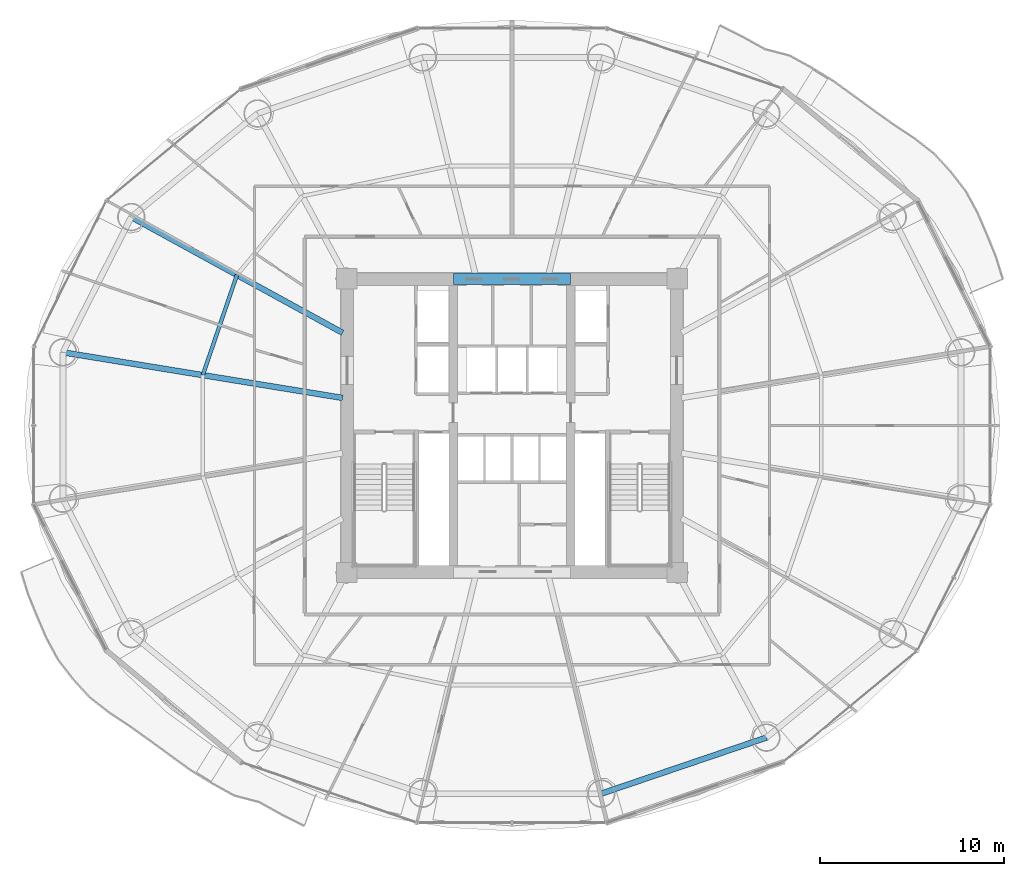
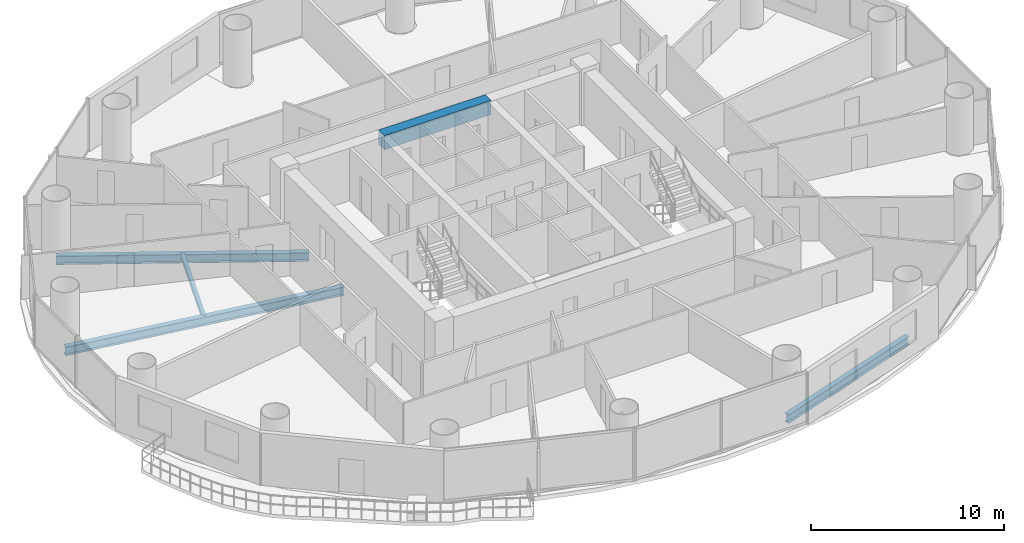
# One storey, part 10 of 29: 5 beams.
"""IFC4 building model written with IfcOpenShell, lengths in metres."""

from ifc_helpers import new_model, si_unit, direction, frame, origin, origin_2d, place, context, subcontext, project, spatial, rectangle, i_section, extrude, material, material_profile, profile_set, type_object, element, save


model = new_model("IFC4")

# Units and contexts
model_context = context("Model", 3, precision=1e-05, world=origin(), true_north=direction((-0.2419218956, 0.970295726276)))
body_context = subcontext(model_context, "Body", "Model", "MODEL_VIEW")
ifc_project = project(units=[si_unit("LENGTHUNIT", "METRE"), si_unit("AREAUNIT", "SQUARE_METRE"), si_unit("VOLUMEUNIT", "CUBIC_METRE"), si_unit("PLANEANGLEUNIT", "RADIAN"), si_unit("MASSUNIT", "GRAM", prefix="KILO")], contexts=[model_context])

# Site, building, storey
site_placement = place(None, origin())
site = spatial("IfcSite", under=ifc_project, at=site_placement, CompositionType="ELEMENT")
building_placement = place(site_placement, origin())
building = spatial("IfcBuilding", under=site, at=building_placement, Name="Cobrevalo Terracotta Tower", CompositionType="ELEMENT")
storey_placement = place(building_placement, frame((0.0, 0.0, 79.800048828125)))
storey = spatial("IfcBuildingStorey", under=building, at=storey_placement, Name="L20", CompositionType="ELEMENT", Elevation=79.800048828125)

# Beams
ifc_material_1 = material(Name="Concrete C60", Category="concrete")
ifc_material_profile_1 = material_profile(ifc_material_1, rectangle(XDim=0.60009765625, YDim=0.89990234375, at=origin_2d()), Name="RC CB 600x900")
ifc_profile_set_1 = profile_set([ifc_material_profile_1], Name="Concrete C60")
beam_type_1 = type_object("IfcBeamType", Name="Structural Beam RC CB 600x900 (Concrete C60)", PredefinedType="BEAM", material=ifc_profile_set_1)
beam_1_placement = place(storey_placement, frame((34.800048828125, 34.800048828125, 2.875), z_axis=(1.0, 0.0, 0.0), x_axis=(0.0, 1.0, 0.0)))
element("IfcBeam", 1, at=beam_1_placement, inside=storey, type_object=beam_type_1, Name="L20 core coupling beam 2", PredefinedType="BEAM", context=body_context, shape_type="SweptSolid", body=[
    extrude(rectangle(XDim=0.60009765625, YDim=0.89990234375, at=origin_2d()), origin(), (0.0, 0.0, 1.0), 6.39990234375),
])
ifc_material_2 = material(Name="Steel S355", Category="steel")
ifc_material_profile_2 = material_profile(ifc_material_2, i_section(OverallWidth=0.31201171875, OverallDepth=0.54296875, WebThickness=0.0126953125, FlangeThickness=0.020263671875, at=origin_2d()), Name="W 530x150")
ifc_profile_set_2 = profile_set([ifc_material_profile_2], Name="Steel S355")
beam_type_2 = type_object("IfcBeamType", Name="Structural Beam W 530x150 (Steel S355)", PredefinedType="BEAM", material=ifc_profile_set_2)
beam_2_placement = place(storey_placement, frame((17.2548828125, 38.161376953125, -0.546630859375), z_axis=(0.877080599376, -0.480343233738, 0.0), x_axis=(0.480343233738, 0.877080599376, 0.0)))
element("IfcBeam", 2, at=beam_2_placement, inside=storey, type_object=beam_type_2, Name="L20 radial floor girder 07", PredefinedType="BEAM", context=body_context, shape_type="SweptSolid", body=[
    extrude(i_section(OverallWidth=0.31201171875, OverallDepth=0.54296875, WebThickness=0.0126953125, FlangeThickness=0.020263671875, at=origin_2d()), origin(), (0.0, 0.0, 1.0), 13.12890625),
])
beam_3_placement = place(storey_placement, frame((13.529296875, 30.78955078125, -0.546630859375), z_axis=(0.986970567439, -0.160900898101, 0.0), x_axis=(0.160900898101, 0.986970567439, 0.0)))
element("IfcBeam", 3, at=beam_3_placement, inside=storey, type_object=beam_type_2, Name="L20 radial floor girder 08", PredefinedType="BEAM", context=body_context, shape_type="SweptSolid", body=[
    extrude(i_section(OverallWidth=0.31201171875, OverallDepth=0.54296875, WebThickness=0.0126953125, FlangeThickness=0.020263671875, at=origin_2d()), origin(), (0.0, 0.0, 1.0), 15.44189453125),
])
ifc_material_profile_3 = material_profile(ifc_material_2, i_section(OverallWidth=0.2041015625, OverallDepth=0.305908203125, WebThickness=0.008544921875, FlangeThickness=0.0146484375, at=origin_2d()), Name="W 310x67")
ifc_profile_set_3 = profile_set([ifc_material_profile_3], Name="Steel S355")
beam_type_3 = type_object("IfcBeamType", Name="Structural Joist W 310x67 (Steel S355)", PredefinedType="JOIST", material=ifc_profile_set_3)
beam_4_placement = place(storey_placement, frame((23.012451171875, 35.00830078125, -0.427978515625), z_axis=(-0.322833299398, -0.94645584197, 0.0), x_axis=(0.94645584197, -0.322833299398, 0.0)))
element("IfcBeam", 4, at=beam_4_placement, inside=storey, type_object=beam_type_3, Name="L20 circumferential secondary floor joist 07", PredefinedType="JOIST", context=body_context, shape_type="SweptSolid", body=[
    extrude(i_section(OverallWidth=0.2041015625, OverallDepth=0.305908203125, WebThickness=0.008544921875, FlangeThickness=0.0146484375, at=origin_2d()), origin(), (0.0, 0.0, 1.0), 5.77001953125),
])
ifc_material_profile_4 = material_profile(ifc_material_2, i_section(OverallWidth=0.31201171875, OverallDepth=0.54296875, WebThickness=0.0126953125, FlangeThickness=0.020263671875, at=origin_2d()), Name="W 530x150")
ifc_profile_set_4 = profile_set([ifc_material_profile_4], Name="Steel S355")
beam_type_4 = type_object("IfcBeamType", Name="Structural Spandrel W 530x150 (Steel S355)", PredefinedType="SPANDREL", material=ifc_profile_set_4)
beam_5_placement = place(storey_placement, frame((42.867431640625, 6.742919921875, -0.546630859375), z_axis=(0.94691835344, 0.321474154356, 0.0), x_axis=(-0.321474154356, 0.94691835344, 0.0)))
element("IfcBeam", 5, at=beam_5_placement, inside=storey, type_object=beam_type_4, Name="L20 perimeter ring spandrel 13", PredefinedType="SPANDREL", context=body_context, shape_type="SweptSolid", body=[
    extrude(i_section(OverallWidth=0.31201171875, OverallDepth=0.54296875, WebThickness=0.0126953125, FlangeThickness=0.020263671875, at=origin_2d()), origin(), (0.0, 0.0, 1.0), 9.498291015625),
])

save(model, "model.ifc")
